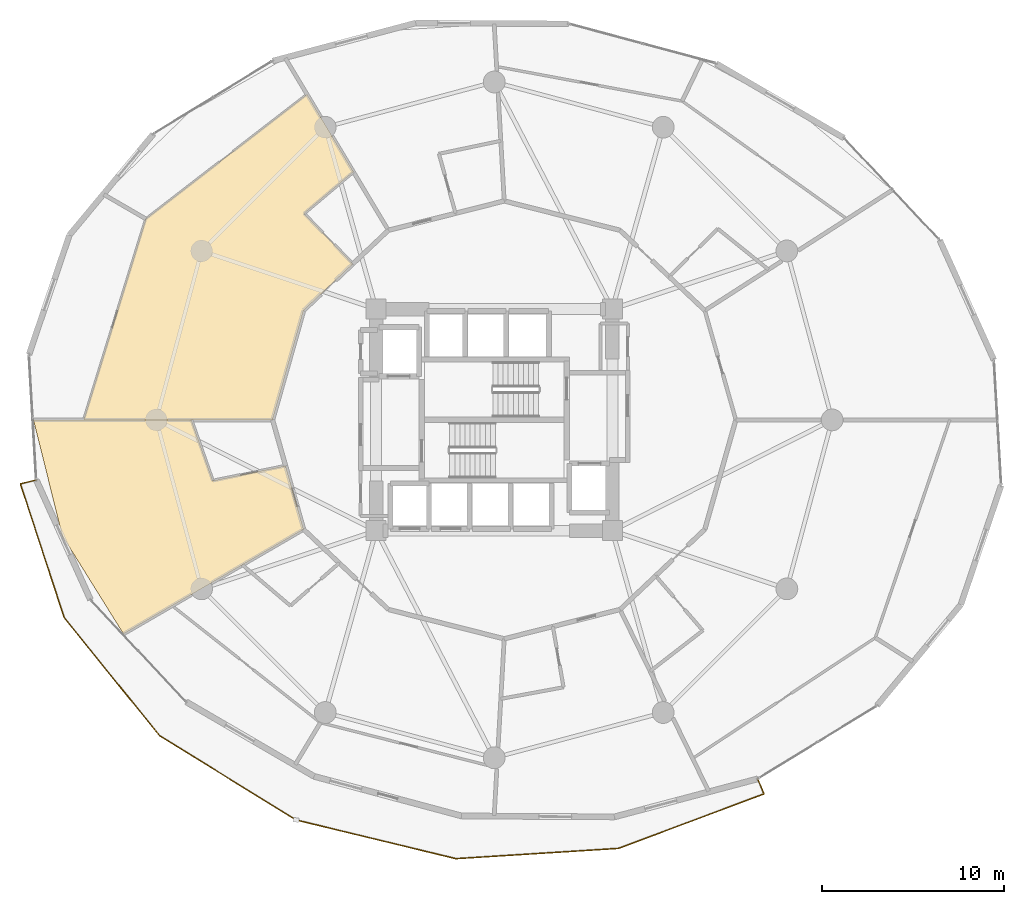
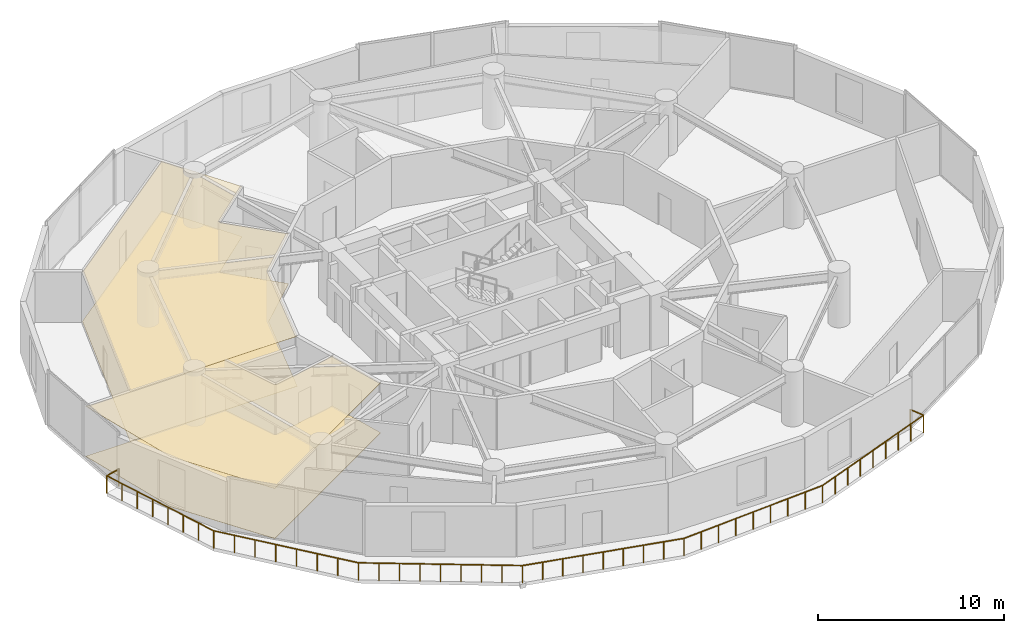
# One storey, part 21 of 23: 4 coverings, 1 railing.
"""IFC4 building model written with IfcOpenShell, lengths in metres."""

from ifc_helpers import new_model, si_unit, direction, frame, origin, origin_2d, place, context, subcontext, project, spatial, polyline, circle, outline, extrude, material, layer, layer_set, type_object, element, save


model = new_model("IFC4")

# Units and contexts
model_context = context("Model", 3, precision=1e-05, world=origin(), true_north=direction((0.0, 1.0)))
body_context = subcontext(model_context, "Body", "Model", "MODEL_VIEW")
ifc_project = project(units=[si_unit("LENGTHUNIT", "METRE"), si_unit("AREAUNIT", "SQUARE_METRE"), si_unit("VOLUMEUNIT", "CUBIC_METRE"), si_unit("PLANEANGLEUNIT", "RADIAN"), si_unit("MASSUNIT", "GRAM", prefix="KILO")], contexts=[model_context])

# Site, building, storey
site_placement = place(None, origin())
site = spatial("IfcSite", under=ifc_project, at=site_placement, CompositionType="ELEMENT")
building_placement = place(site_placement, origin())
building = spatial("IfcBuilding", under=site, at=building_placement, Name="Solvirekh Grand Hotel", CompositionType="ELEMENT")
storey_placement = place(building_placement, frame((0.0, 0.0, 39.199951171875)))
storey = spatial("IfcBuildingStorey", under=building, at=storey_placement, Name="L08", CompositionType="ELEMENT", Elevation=39.199951171875)

# Coverings
ifc_material_1 = material(Name="Acoustic Mineral Ceiling Tile")
ifc_layer_1 = layer(ifc_material_1, 0.02490234375)
ifc_layer_set_1 = layer_set([ifc_layer_1], Name="Acoustic Mineral Ceiling Tile")
covering_type_1 = type_object("IfcCoveringType", Name="Cov_Ceiling_Acoustic", PredefinedType="CEILING", material=ifc_layer_set_1)
covering_1_placement = place(storey_placement, frame((0.0, 0.0, 3.2900390625)))
element("IfcCovering", 1, at=covering_1_placement, inside=storey, type_object=covering_type_1, Name="L08 Executive Suite 1003 Living Room acoustic ceiling", PredefinedType="CEILING", context=body_context, shape_type="SweptSolid", body=[
    extrude(outline(polyline([(-10.471923828125, 11.361083984375), (-7.751953125, 13.656005859375), (-10.303955078125, 17.91796875), (-19.175048828125, 11.06396484375), (-22.595947265625, 0.0), (-12.199951171875, 0.0), (-10.491943359375, 6.02490234375), (-7.784912109375, 8.5830078125), (-10.471923828125, 11.361083984375)])), origin(), (0.0, 0.0, 1.0), 0.01806640625),
])
covering_2_placement = place(storey_placement, frame((0.0, 0.0, 3.2900390625)))
element("IfcCovering", 2, at=covering_2_placement, inside=storey, type_object=covering_type_1, Name="L08 Deluxe Guestroom 1004 acoustic ceiling", PredefinedType="CEILING", context=body_context, shape_type="SweptSolid", body=[
    extrude(outline(polyline([(-15.493896484375, -3.35205078125), (-16.674072265625, 0.0), (-25.35888671875, 0.0), (-23.777099609375, -6.37109375), (-20.406005859375, -11.781005859375), (-10.491943359375, -6.02490234375), (-11.48291015625, -2.530029296875), (-15.493896484375, -3.35205078125)])), origin(), (0.0, 0.0, 1.0), 0.01806640625),
])
ifc_material_2 = material(Name="Porcelain Stoneware Flooring", Category="masonry")
ifc_layer_2 = layer(ifc_material_2, 0.030029296875)
ifc_layer_set_2 = layer_set([ifc_layer_2], Name="Porcelain Stoneware Flooring")
covering_type_2 = type_object("IfcCoveringType", Name="Cov_Floor_Stone", PredefinedType="FLOORING", material=ifc_layer_set_2)
covering_3_placement = place(storey_placement, origin())
element("IfcCovering", 3, at=covering_3_placement, inside=storey, type_object=covering_type_2, Name="L08 Executive Suite 1003 Living Room polished granite flooring", PredefinedType="FLOORING", context=body_context, shape_type="SweptSolid", body=[
    extrude(outline(polyline([(-10.471923828125, 11.361083984375), (-7.751953125, 13.656005859375), (-10.303955078125, 17.91796875), (-19.175048828125, 11.06396484375), (-22.595947265625, 0.0), (-12.199951171875, 0.0), (-10.491943359375, 6.02490234375), (-7.784912109375, 8.5830078125), (-10.471923828125, 11.361083984375)])), origin(), (0.0, 0.0, 1.0), 0.02001953125),
])
covering_4_placement = place(storey_placement, origin())
element("IfcCovering", 4, at=covering_4_placement, inside=storey, type_object=covering_type_2, Name="L08 Deluxe Guestroom 1004 polished granite flooring", PredefinedType="FLOORING", context=body_context, shape_type="SweptSolid", body=[
    extrude(outline(polyline([(-15.493896484375, -3.35205078125), (-16.674072265625, 0.0), (-25.35888671875, 0.0), (-23.777099609375, -6.37109375), (-20.406005859375, -11.781005859375), (-10.491943359375, -6.02490234375), (-11.48291015625, -2.530029296875), (-15.493896484375, -3.35205078125)])), origin(), (0.0, 0.0, 1.0), 0.02001953125),
])

# Railing
ifc_material_3 = material(Name="Anodized Bronze Aluminium 6063-T6", Category="aluminium")
railing_type = type_object("IfcRailingType", Name="Guard_ExtGlass_1150", PredefinedType="BALUSTRADE", material=ifc_material_3)
railing_placement = place(storey_placement, frame((-25.20703125, -3.305908203125, 0.0)))
element("IfcRailing", 5, at=railing_placement, inside=storey, type_object=railing_type, Name="L08 balc perimeter glass balustrade", PredefinedType="BALUSTRADE", context=body_context, shape_type="SweptSolid", body=[
    extrude(circle(Radius=0.02392578125, at=origin_2d()), frame((0.0, 0.0, 1.1259765625), z_axis=(-0.970206304302, -0.242280265588, 0.0), x_axis=(0.242280265588, -0.970206304302, 0.0)), (0.0, 0.0, 1.0), 0.89990234375),
    extrude(circle(Radius=0.02392578125, at=origin_2d()), frame((-0.873046875, -0.218017578125, 1.1259765625), z_axis=(0.310796982384, -0.950476320453, 0.0), x_axis=(0.950476320453, 0.310796982384, 0.0)), (0.0, 0.0, 1.0), 7.735107421875),
    extrude(circle(Radius=0.02392578125, at=origin_2d()), frame((1.531005859375, -7.570068359375, 1.1259765625), z_axis=(0.628094997704, -0.778136667854, 0.0), x_axis=(0.778136667854, 0.628094997704, 0.0)), (0.0, 0.0, 1.0), 8.35693359375),
    extrude(circle(Radius=0.02392578125, at=origin_2d()), frame((6.780029296875, -14.072998046875, 1.1259765625), z_axis=(0.850790003526, -0.525505822899, 0.0), x_axis=(0.525505822899, 0.850790003526, 0.0)), (0.0, 0.0, 1.0), 8.83544921875),
    extrude(circle(Radius=0.02392578125, at=origin_2d()), frame((14.297119140625, -18.716064453125, 1.1259765625), z_axis=(0.971900018732, -0.235394038982, 0.0), x_axis=(0.235394038982, 0.971900018732, 0.0)), (0.0, 0.0, 1.0), 9.057373046875),
    extrude(circle(Radius=0.02392578125, at=origin_2d()), frame((23.10009765625, -20.84814453125, 1.1259765625), z_axis=(0.99799698044, 0.06326157627, 0.0), x_axis=(-0.06326157627, 0.99799698044, 0.0)), (0.0, 0.0, 1.0), 8.965087890625),
    extrude(circle(Radius=0.02392578125, at=origin_2d()), frame((32.047119140625, -20.281005859375, 1.1259765625), z_axis=(0.936510875493, 0.350638531944, 0.0), x_axis=(-0.350638531944, 0.936510875493, 0.0)), (0.0, 0.0, 1.0), 8.552978515625),
    extrude(circle(Radius=0.02392578125, at=origin_2d()), frame((40.05712890625, -17.281982421875, 1.1259765625), z_axis=(-0.390410397263, 0.920640929847, 0.0), x_axis=(-0.920640929847, -0.390410397263, 0.0)), (0.0, 0.0, 1.0), 0.899169921875),
    extrude(circle(Radius=0.02099609375, at=origin_2d()), origin(), (0.0, 0.0, 1.0), 1.101806640625),
    extrude(circle(Radius=0.02099609375, at=origin_2d()), frame((-0.873046875, -0.218017578125, 0.0)), (0.0, 0.0, 1.0), 1.101806640625),
    extrude(circle(Radius=0.02099609375, at=origin_2d()), frame((-0.529541015625, -1.268310546875, 0.0)), (0.0, 0.0, 1.0), 1.101806640625),
    extrude(circle(Radius=0.02099609375, at=origin_2d()), frame((-0.186279296875, -2.318603515625, 0.0)), (0.0, 0.0, 1.0), 1.101806640625),
    extrude(circle(Radius=0.02099609375, at=origin_2d()), frame((0.1572265625, -3.368896484375, 0.0)), (0.0, 0.0, 1.0), 1.101806640625),
    extrude(circle(Radius=0.02099609375, at=origin_2d()), frame((0.500732421875, -4.419189453125, 0.0)), (0.0, 0.0, 1.0), 1.101806640625),
    extrude(circle(Radius=0.02099609375, at=origin_2d()), frame((0.84423828125, -5.469482421875, 0.0)), (0.0, 0.0, 1.0), 1.101806640625),
    extrude(circle(Radius=0.02099609375, at=origin_2d()), frame((1.1875, -6.519775390625, 0.0)), (0.0, 0.0, 1.0), 1.101806640625),
    extrude(circle(Radius=0.02099609375, at=origin_2d()), frame((1.531005859375, -7.570068359375, 0.0)), (0.0, 0.0, 1.0), 1.101806640625),
    extrude(circle(Radius=0.02099609375, at=origin_2d()), frame((2.28076171875, -8.4990234375, 0.0)), (0.0, 0.0, 1.0), 1.101806640625),
    extrude(circle(Radius=0.02099609375, at=origin_2d()), frame((3.03076171875, -9.427978515625, 0.0)), (0.0, 0.0, 1.0), 1.101806640625),
    extrude(circle(Radius=0.02099609375, at=origin_2d()), frame((3.780517578125, -10.35693359375, 0.0)), (0.0, 0.0, 1.0), 1.101806640625),
    extrude(circle(Radius=0.02099609375, at=origin_2d()), frame((4.530517578125, -11.2861328125, 0.0)), (0.0, 0.0, 1.0), 1.101806640625),
    extrude(circle(Radius=0.02099609375, at=origin_2d()), frame((5.2802734375, -12.215087890625, 0.0)), (0.0, 0.0, 1.0), 1.101806640625),
    extrude(circle(Radius=0.02099609375, at=origin_2d()), frame((6.0302734375, -13.14404296875, 0.0)), (0.0, 0.0, 1.0), 1.101806640625),
    extrude(circle(Radius=0.02099609375, at=origin_2d()), frame((6.780029296875, -14.072998046875, 0.0)), (0.0, 0.0, 1.0), 1.101806640625),
    extrude(circle(Radius=0.02099609375, at=origin_2d()), frame((7.7197265625, -14.6533203125, 0.0)), (0.0, 0.0, 1.0), 1.101806640625),
    extrude(circle(Radius=0.02099609375, at=origin_2d()), frame((8.6591796875, -15.23388671875, 0.0)), (0.0, 0.0, 1.0), 1.101806640625),
    extrude(circle(Radius=0.02099609375, at=origin_2d()), frame((9.598876953125, -15.814208984375, 0.0)), (0.0, 0.0, 1.0), 1.101806640625),
    extrude(circle(Radius=0.02099609375, at=origin_2d()), frame((10.53857421875, -16.39453125, 0.0)), (0.0, 0.0, 1.0), 1.101806640625),
    extrude(circle(Radius=0.02099609375, at=origin_2d()), frame((11.478271484375, -16.974853515625, 0.0)), (0.0, 0.0, 1.0), 1.101806640625),
    extrude(circle(Radius=0.02099609375, at=origin_2d()), frame((12.41796875, -17.55517578125, 0.0)), (0.0, 0.0, 1.0), 1.101806640625),
    extrude(circle(Radius=0.02099609375, at=origin_2d()), frame((13.357421875, -18.1357421875, 0.0)), (0.0, 0.0, 1.0), 1.101806640625),
    extrude(circle(Radius=0.02099609375, at=origin_2d()), frame((14.297119140625, -18.716064453125, 0.0)), (0.0, 0.0, 1.0), 1.101806640625),
    extrude(circle(Radius=0.02099609375, at=origin_2d()), frame((15.3974609375, -18.982666015625, 0.0)), (0.0, 0.0, 1.0), 1.101806640625),
    extrude(circle(Radius=0.02099609375, at=origin_2d()), frame((16.497802734375, -19.2490234375, 0.0)), (0.0, 0.0, 1.0), 1.101806640625),
    extrude(circle(Radius=0.02099609375, at=origin_2d()), frame((17.59814453125, -19.515625, 0.0)), (0.0, 0.0, 1.0), 1.101806640625),
    extrude(circle(Radius=0.02099609375, at=origin_2d()), frame((18.69873046875, -19.7822265625, 0.0)), (0.0, 0.0, 1.0), 1.101806640625),
    extrude(circle(Radius=0.02099609375, at=origin_2d()), frame((19.799072265625, -20.048583984375, 0.0)), (0.0, 0.0, 1.0), 1.101806640625),
    extrude(circle(Radius=0.02099609375, at=origin_2d()), frame((20.8994140625, -20.315185546875, 0.0)), (0.0, 0.0, 1.0), 1.101806640625),
    extrude(circle(Radius=0.02099609375, at=origin_2d()), frame((21.999755859375, -20.58154296875, 0.0)), (0.0, 0.0, 1.0), 1.101806640625),
    extrude(circle(Radius=0.02099609375, at=origin_2d()), frame((23.10009765625, -20.84814453125, 0.0)), (0.0, 0.0, 1.0), 1.101806640625),
    extrude(circle(Radius=0.02099609375, at=origin_2d()), frame((24.218505859375, -20.77734375, 0.0)), (0.0, 0.0, 1.0), 1.101806640625),
    extrude(circle(Radius=0.02099609375, at=origin_2d()), frame((25.3369140625, -20.706298828125, 0.0)), (0.0, 0.0, 1.0), 1.101806640625),
    extrude(circle(Radius=0.02099609375, at=origin_2d()), frame((26.455322265625, -20.635498046875, 0.0)), (0.0, 0.0, 1.0), 1.101806640625),
    extrude(circle(Radius=0.02099609375, at=origin_2d()), frame((27.57373046875, -20.564453125, 0.0)), (0.0, 0.0, 1.0), 1.101806640625),
    extrude(circle(Radius=0.02099609375, at=origin_2d()), frame((28.69189453125, -20.49365234375, 0.0)), (0.0, 0.0, 1.0), 1.101806640625),
    extrude(circle(Radius=0.02099609375, at=origin_2d()), frame((29.810302734375, -20.4228515625, 0.0)), (0.0, 0.0, 1.0), 1.101806640625),
    extrude(circle(Radius=0.02099609375, at=origin_2d()), frame((30.9287109375, -20.351806640625, 0.0)), (0.0, 0.0, 1.0), 1.101806640625),
    extrude(circle(Radius=0.02099609375, at=origin_2d()), frame((32.047119140625, -20.281005859375, 0.0)), (0.0, 0.0, 1.0), 1.101806640625),
    extrude(circle(Radius=0.02099609375, at=origin_2d()), frame((33.04833984375, -19.90625, 0.0)), (0.0, 0.0, 1.0), 1.101806640625),
    extrude(circle(Radius=0.02099609375, at=origin_2d()), frame((34.049560546875, -19.53125, 0.0)), (0.0, 0.0, 1.0), 1.101806640625),
    extrude(circle(Radius=0.02099609375, at=origin_2d()), frame((35.05078125, -19.15625, 0.0)), (0.0, 0.0, 1.0), 1.101806640625),
    extrude(circle(Radius=0.02099609375, at=origin_2d()), frame((36.05224609375, -18.781494140625, 0.0)), (0.0, 0.0, 1.0), 1.101806640625),
    extrude(circle(Radius=0.02099609375, at=origin_2d()), frame((37.053466796875, -18.40673828125, 0.0)), (0.0, 0.0, 1.0), 1.101806640625),
    extrude(circle(Radius=0.02099609375, at=origin_2d()), frame((38.0546875, -18.03173828125, 0.0)), (0.0, 0.0, 1.0), 1.101806640625),
    extrude(circle(Radius=0.02099609375, at=origin_2d()), frame((39.055908203125, -17.65673828125, 0.0)), (0.0, 0.0, 1.0), 1.101806640625),
    extrude(circle(Radius=0.02099609375, at=origin_2d()), frame((40.05712890625, -17.281982421875, 0.0)), (0.0, 0.0, 1.0), 1.101806640625),
    extrude(circle(Radius=0.02099609375, at=origin_2d()), frame((39.7060546875, -16.4541015625, 0.0)), (0.0, 0.0, 1.0), 1.101806640625),
])

save(model, "model.ifc")
